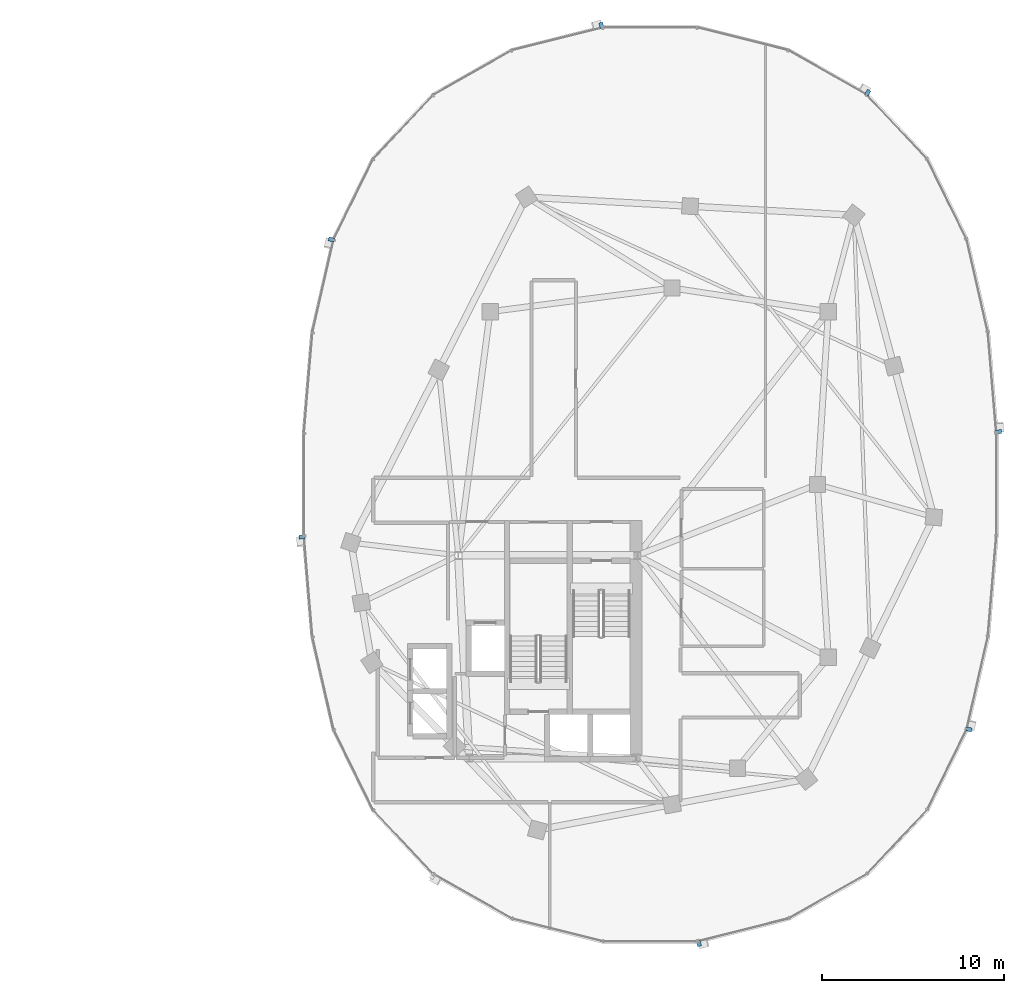
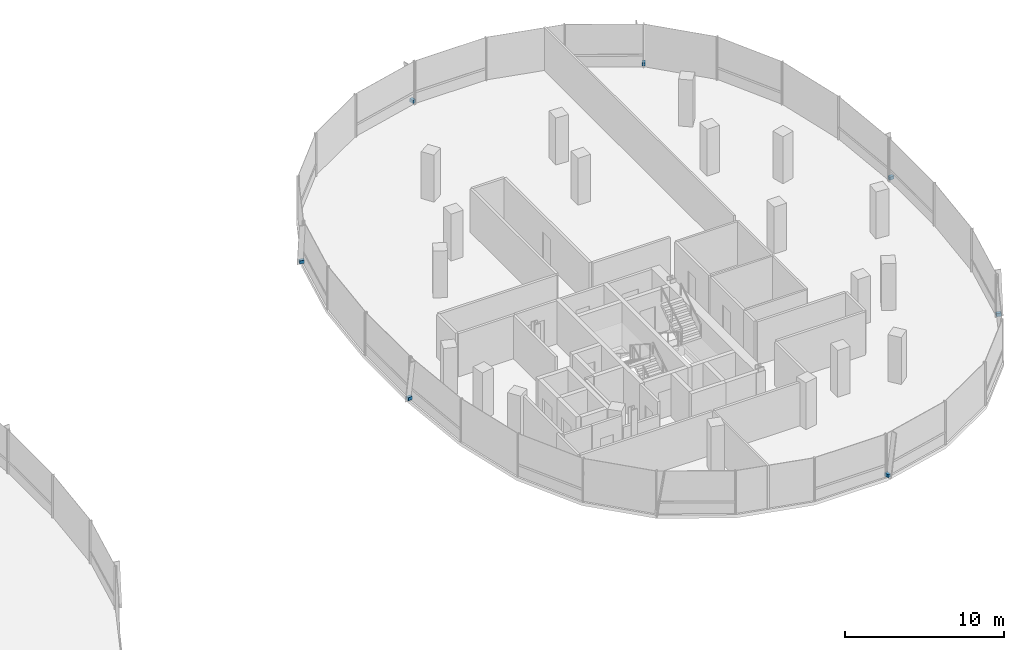
# One storey, part 19 of 24: 7 discrete accessories.
"""IFC4 building model written with IfcOpenShell, lengths in metres."""

from ifc_helpers import new_model, si_unit, direction, frame, origin, origin_2d, place, context, subcontext, project, spatial, rectangle, extrude, material, type_object, element, save


model = new_model("IFC4")

# Units and contexts
model_context = context("Model", 3, precision=1e-05, world=origin(), true_north=direction((0.0, 1.0)))
body_context = subcontext(model_context, "Body", "Model", "MODEL_VIEW")
ifc_project = project(units=[si_unit("LENGTHUNIT", "METRE"), si_unit("AREAUNIT", "SQUARE_METRE"), si_unit("VOLUMEUNIT", "CUBIC_METRE"), si_unit("PLANEANGLEUNIT", "RADIAN"), si_unit("MASSUNIT", "GRAM", prefix="KILO"), si_unit("THERMODYNAMICTEMPERATUREUNIT", "KELVIN"), si_unit("POWERUNIT", "WATT")], contexts=[model_context])

# Site, building, storey
site_placement = place(None, origin())
site = spatial("IfcSite", under=ifc_project, at=site_placement, CompositionType="ELEMENT")
building_placement = place(site_placement, origin())
building = spatial("IfcBuilding", under=site, at=building_placement, Name="Cundina Bronze Exchange", CompositionType="ELEMENT")
storey_placement = place(building_placement, frame((0.0, 0.0, 231.39990234375)))
storey = spatial("IfcBuildingStorey", under=building, at=storey_placement, Name="L61", CompositionType="ELEMENT", Elevation=231.39990234375)

# Discrete accessories
ifc_material = material(Name="Anodised Bronze Aluminium 6063-T6", Category="aluminium")
discrete_accessory_type = type_object("IfcDiscreteAccessoryType", Name="ACC-BRK-FIN", PredefinedType="BRACKET", material=ifc_material)
for number, where, z_axis, x_axis, name in (
    (1, (51.15478515625, 2.893798828125, 0.10009765625), (0.0, 0.0, 1.0), (-0.083747411454, 0.996487015006, 0.0), "L61 Fin Support Bracket 1"),
    (2, (43.961181640625, 21.539794921875, 0.10009765625), (0.0, 0.0, 1.0), (-0.869572506985, 0.493805280547, 0.0), "L61 Fin Support Bracket 5"),
    (3, (29.321044921875, 25.23779296875, 0.10009765625), (0.0, 0.0, 1.0), (-0.969731542251, -0.244173577528, 0.0), "L61 Fin Support Bracket 1"),
    (4, (14.470458984375, 13.468505859375, 0.10009765625), (0.0, 0.0, 1.0), (-0.223284141459, -0.974753400698, 0.0), "L61 Fin Support Bracket 5"),
    (5, (12.84521484375, -2.893798828125, 0.10009765625), (0.0, 0.0, 1.0), (0.083747411454, -0.996487015006, 0.0), "L61 Fin Support Bracket 1"),
    (6, (34.678955078125, -25.23779296875, 0.10009765625), (0.0, 0.0, 1.0), (0.969731542251, 0.244173577528, 0.0), "L61 Fin Support Bracket 1"),
    (7, (49.529541015625, -13.468505859375, 0.10009765625), (0.0, 0.0, 1.0), (0.223284141459, 0.974753400698, 0.0), "L61 Fin Support Bracket 5"),
):
    element("IfcDiscreteAccessory", number, at=place(storey_placement, frame(where, z_axis=z_axis, x_axis=x_axis)), inside=storey, type_object=discrete_accessory_type, Name=name, PredefinedType="BRACKET", context=body_context, shape_type="SweptSolid", body=[
        extrude(rectangle(XDim=0.219970703125, YDim=0.320068359375, at=origin_2d()), origin(), (0.0, 0.0, 1.0), 0.239990234375),
    ])

save(model, "model.ifc")
